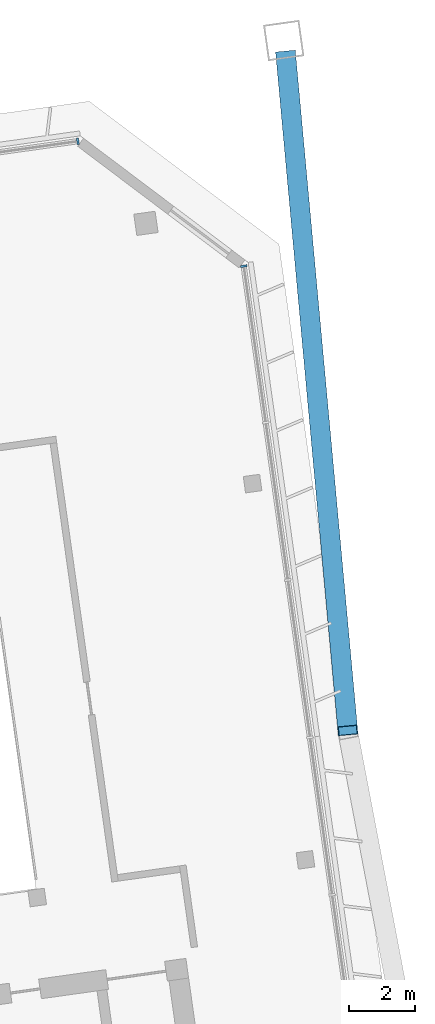
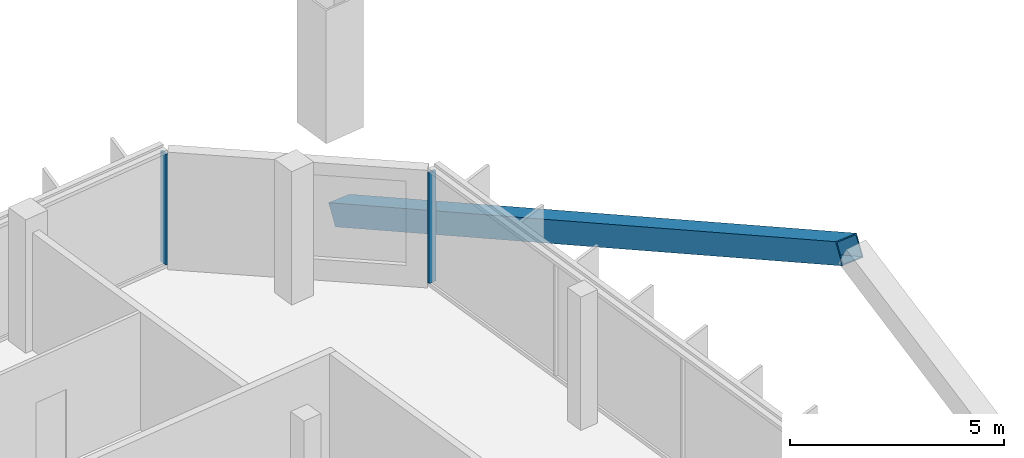
# One storey, part 9 of 19: 3 members, 2 elements without a shape of their own.
"""IFC4 building model written with IfcOpenShell, lengths in metres."""

from ifc_helpers import new_model, si_unit, direction, frame, origin, origin_2d, place, context, subcontext, project, spatial, rectangle, hollow_rectangle, extrude, material, material_profile, profile_set, type_object, element, aggregate, save


model = new_model("IFC4")

# Units and contexts
model_context = context("Model", 3, precision=1e-05, world=origin(), true_north=direction((0.0, 1.0)))
body_context = subcontext(model_context, "Body", "Model", "MODEL_VIEW")
ifc_project = project(units=[si_unit("LENGTHUNIT", "METRE"), si_unit("AREAUNIT", "SQUARE_METRE"), si_unit("VOLUMEUNIT", "CUBIC_METRE"), si_unit("PLANEANGLEUNIT", "RADIAN"), si_unit("MASSUNIT", "GRAM", prefix="KILO")], contexts=[model_context])

# Site, building, storey
site_placement = place(None, origin())
site = spatial("IfcSite", under=ifc_project, at=site_placement, CompositionType="ELEMENT")
building_placement = place(site_placement, origin())
building = spatial("IfcBuilding", under=site, at=building_placement, Name="Mirante Cascada Hotel Towers", CompositionType="ELEMENT")
storey_placement = place(building_placement, frame((0.0, 0.0, 239.4)))
storey = spatial("IfcBuildingStorey", under=building, at=storey_placement, Name="L57", CompositionType="ELEMENT", Elevation=239.4)

# Member
ifc_material_1 = material(Name="Steel ASTM A572 Gr 50", Category="steel")
ifc_material_profile_1 = material_profile(ifc_material_1, hollow_rectangle(XDim=0.6, YDim=0.6, WallThickness=0.028, at=origin_2d()), Name="Box brace 600x600x28 ASTM A572 Gr 50")
ifc_profile_set_1 = profile_set([ifc_material_profile_1], Name="Steel ASTM A572 Gr 50")
member_type_1 = type_object("IfcMemberType", Name="Box brace 600x600x28 ASTM A572 Gr 50", PredefinedType="BRACE", material=ifc_profile_set_1)
member_1_placement = place(storey_placement, frame((64.7718, 23.6268, -2.1856), z_axis=(0.0811248, -0.8843328, 0.4597547), x_axis=(0.9958187, 0.091352, 0.0)))
element("IfcMember", 1, at=member_1_placement, inside=storey, type_object=member_type_1, Name="brace T2 L57 2", PredefinedType="BRACE", context=body_context, shape_type="SweptSolid", body=[
    extrude(hollow_rectangle(XDim=0.6, YDim=0.6, WallThickness=0.028, at=origin_2d()), origin(), (0.0, 0.0, 1.0), 23.0978),
])

# Curtain wall, member
ifc_material_2 = material(Name="Aluminium mullion and transom frame with clear laminated glass", Category="aluminium")
curtain_wall_type_1 = type_object("IfcCurtainWallType", Name="Ribbon curtain wall ECW1", PredefinedType="NOTDEFINED", material=ifc_material_2)
curtain_wall_1_placement = place(storey_placement, origin())
curtain_wall_1 = element("IfcCurtainWall", 2, at=curtain_wall_1_placement, inside=storey, type_object=curtain_wall_type_1, Name="Front ribbon wall T2 L57", PredefinedType="NOTDEFINED")
ifc_material_3 = material(Name="Anodised aluminium extrusion", Category="aluminium")
ifc_material_profile_2 = material_profile(ifc_material_3, rectangle(XDim=0.2, YDim=0.065, at=origin_2d()), Name="ECW1 MULLION 65x200")
ifc_profile_set_2 = profile_set([ifc_material_profile_2], Name="Anodised aluminium extrusion")
member_type_2 = type_object("IfcMemberType", Name="ECW1 mullion 65x200", PredefinedType="MULLION", material=ifc_profile_set_2)
member_2_placement = place(storey_placement, frame((58.4763, 21.0373, 0.1), z_axis=(0.0, 0.0, 1.0), x_axis=(0.1391731, -0.9902681, 0.0)))
member_2 = element("IfcMember", 3, at=member_2_placement, type_object=member_type_2, Name="ECW1 mullion 1", PredefinedType="MULLION", context=body_context, shape_type="SweptSolid", body=[
    extrude(rectangle(XDim=0.2, YDim=0.065, at=origin_2d()), origin(), (0.0, 0.0, 1.0), 3.15),
])
aggregate(curtain_wall_1, [member_2])

ifc_material_4 = material(Name="Aluminium mullion and transom frame with clear laminated glass", Category="aluminium")
curtain_wall_type_2 = type_object("IfcCurtainWallType", Name="End ribbon curtain wall ECW2", PredefinedType="NOTDEFINED", material=ifc_material_4)
curtain_wall_2_placement = place(storey_placement, origin())
curtain_wall_2 = element("IfcCurtainWall", 4, at=curtain_wall_2_placement, inside=storey, type_object=curtain_wall_type_2, Name="Outer end wall T2 L57", PredefinedType="NOTDEFINED")
ifc_material_5 = material(Name="Anodised aluminium extrusion", Category="aluminium")
ifc_material_profile_3 = material_profile(ifc_material_5, rectangle(XDim=0.2, YDim=0.065, at=origin_2d()), Name="ECW2 MULLION 65x200")
ifc_profile_set_3 = profile_set([ifc_material_profile_3], Name="Anodised aluminium extrusion")
member_type_3 = type_object("IfcMemberType", Name="ECW2 mullion 65x200", PredefinedType="MULLION", material=ifc_profile_set_3)
member_3_placement = place(storey_placement, frame((63.4963, 17.2545, 0.1), z_axis=(0.0, 0.0, 1.0), x_axis=(-0.9902681, -0.1391731, 0.0)))
member_3 = element("IfcMember", 5, at=member_3_placement, type_object=member_type_3, Name="ECW2 mullion 7", PredefinedType="MULLION", context=body_context, shape_type="SweptSolid", body=[
    extrude(rectangle(XDim=0.2, YDim=0.065, at=origin_2d()), origin(), (0.0, 0.0, 1.0), 3.15),
])
aggregate(curtain_wall_2, [member_3])

save(model, "model.ifc")
